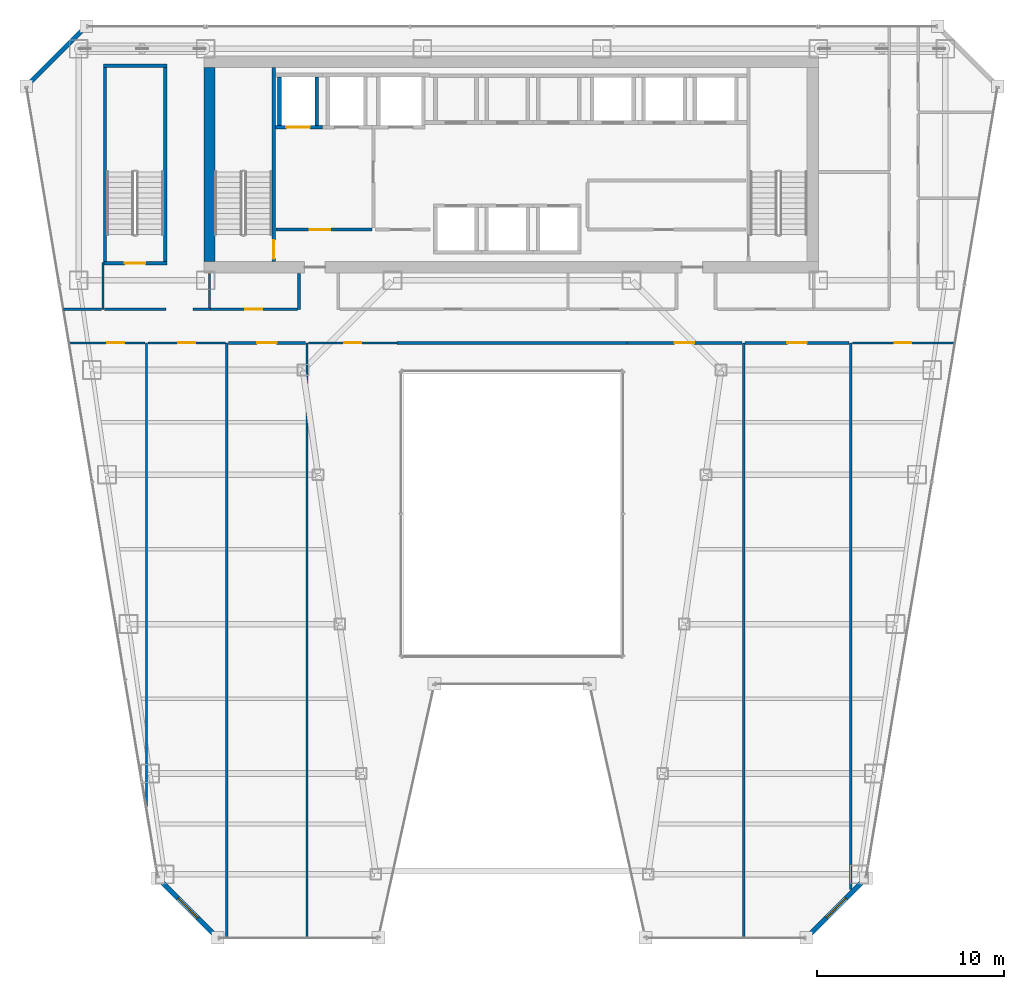
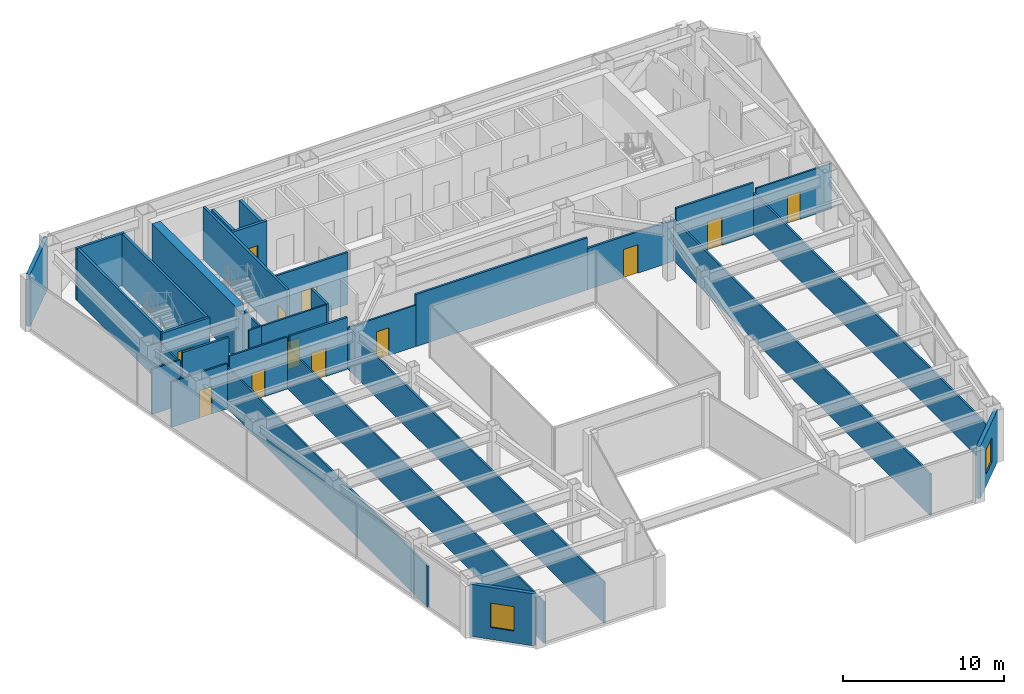
# One storey, part 30 of 36: 33 walls, 12 doors, 2 windows, 14 openings.
"""IFC4 building model written with IfcOpenShell, lengths in metres."""

from ifc_helpers import new_model, si_unit, direction, frame, frame_2d, origin, place, context, subcontext, project, spatial, rectangle, extrude, material, layer, layer_set, type_object, element, fill, save


model = new_model("IFC4")

# Units and contexts
model_context = context("Model", 3, precision=1e-05, world=origin(), true_north=direction((0.0, 1.0)))
body_context = subcontext(model_context, "Body", "Model", "MODEL_VIEW")
ifc_project = project(units=[si_unit("LENGTHUNIT", "METRE"), si_unit("AREAUNIT", "SQUARE_METRE"), si_unit("VOLUMEUNIT", "CUBIC_METRE"), si_unit("PLANEANGLEUNIT", "RADIAN"), si_unit("MASSUNIT", "GRAM", prefix="KILO")], contexts=[model_context])

# Site, building, storey
site_placement = place(None, origin())
site = spatial("IfcSite", under=ifc_project, at=site_placement, CompositionType="ELEMENT")
building_placement = place(site_placement, origin())
building = spatial("IfcBuilding", under=site, at=building_placement, Name="Saevonmaru Cultural Tower", CompositionType="ELEMENT")
storey_placement = place(building_placement, frame((0.0, 0.0, 119.199951171875)))
storey = spatial("IfcBuildingStorey", under=building, at=storey_placement, Name="L25", CompositionType="ELEMENT", Elevation=119.199951171875)

# Wall
ifc_material_1 = material(Name="Concrete C60/75", Category="concrete")
ifc_layer_1 = layer(ifc_material_1, 0.60009765625, Name="Concrete C60/75")
ifc_layer_set_1 = layer_set([ifc_layer_1], Name="Concrete C60/75")
wall_type_1 = type_object("IfcWallType", Name="WL-CORE-600", PredefinedType="SHEAR", material=ifc_layer_set_1)
wall_1_placement = place(storey_placement, frame((13.800048828125, 43.39990234375, 0.0), z_axis=(0.0, 0.0, 1.0), x_axis=(0.0, 1.0, 0.0)))
element("IfcWall", 1, at=wall_1_placement, inside=storey, type_object=wall_type_1, Name="L25 Tower RC core shear wall W", PredefinedType="SHEAR", context=body_context, shape_type="SweptSolid", body=[
    extrude(rectangle(XDim=10.400146484375, YDim=0.60009765625, at=frame_2d((5.2001953125, 0.0))), origin(), (0.0, 0.0, 1.0), 3.949951171875),
])

# Wall, opening, door
ifc_material_2 = material(Name="Gypsum Fireboard Partition", Category="gypsum")
ifc_layer_2 = layer(ifc_material_2, 0.14990234375, Name="Gypsum Fireboard Partition")
ifc_layer_set_2 = layer_set([ifc_layer_2], Name="Gypsum Fireboard Partition")
wall_type_2 = type_object("IfcWallType", Name="WL-CORE-PART-150", PredefinedType="PARTITIONING", material=ifc_layer_set_2)
wall_2_placement = place(storey_placement, frame((17.360107421875, 45.1201171875, 0.0), z_axis=(0.0, 0.0, 1.0), x_axis=(1.0, 0.0, 0.0)))
wall_2 = element("IfcWall", 2, at=wall_2_placement, inside=storey, type_object=wall_type_2, Name="L25 Firefighting Lift Lobby South Wall", PredefinedType="PARTITIONING", context=body_context, shape_type="SweptSolid", body=[
    extrude(rectangle(XDim=5.139892578125, YDim=0.14990234375, at=frame_2d((2.56982421875, 0.0))), origin(), (0.0, 0.0, 1.0), 3.949951171875),
])
opening_1_placement = place(wall_2_placement, frame((1.800048828125, 0.0, 0.0)))
opening_1 = element("IfcOpeningElement", 3, at=opening_1_placement, cuts=wall_2, Name="Opening FD-2", PredefinedType="OPENING", context=body_context, shape_type="SweptSolid", body=[
    extrude(rectangle(XDim=1.10009765625, YDim=2.14990234375, at=frame_2d((0.550048828125, 1.074951171875))), frame((0.0, 0.0849609375, 0.0), z_axis=(0.0, -1.0, 0.0), x_axis=(1.0, 0.0, 0.0)), (0.0, 0.0, 1.0), 0.169921875),
])
ifc_material_3 = material(Name="Satin Bronze Anodised Aluminium", Category="aluminium")
door_type_1 = type_object("IfcDoorType", Name="DR-FD60-1100", OperationType="SINGLE_SWING_LEFT", PredefinedType="DOOR", material=ifc_material_3)
door_1_placement = place(opening_1_placement, origin())
door_1 = element("IfcDoor", 4, at=door_1_placement, inside=storey, type_object=door_type_1, Name="L25 Firefighting Lift Lobby South Door", OperationType="SINGLE_SWING_LEFT", OverallHeight=2.14990234375, OverallWidth=1.10009765625, PredefinedType="DOOR", context=body_context, shape_type="SweptSolid", body=[
    extrude(rectangle(XDim=1.10009765625, YDim=2.14990234375, at=frame_2d((0.550048828125, 1.074951171875))), frame((0.0, 0.02490234375, 0.0), z_axis=(0.0, -1.0, 0.0), x_axis=(1.0, 0.0, 0.0)), (0.0, 0.0, 1.0), 0.050048828125),
])
fill(opening_1, door_1)

# Wall, opening, window
ifc_material_4 = material(Name="Granite-Clad Precast Concrete C40/50", Category="masonry")
ifc_layer_3 = layer(ifc_material_4, 0.260009765625, Name="Granite-Clad Precast Concrete C40/50")
ifc_layer_set_3 = layer_set([ifc_layer_3], Name="Granite-Clad Precast Concrete C40/50")
wall_type_3 = type_object("IfcWallType", Name="WL-EXT-SPANDREL-260", PredefinedType="STANDARD", material=ifc_layer_set_3)
wall_3_placement = place(storey_placement, frame((11.162109375, 10.286865234375, 0.0), z_axis=(0.0, 0.0, 1.0), x_axis=(0.70707775441, -0.707135806771, 0.0)))
wall_3 = element("IfcWall", 5, at=wall_3_placement, inside=storey, type_object=wall_type_3, Name="L25 Chamfer Corner Spandrel Wall E1", PredefinedType="STANDARD", context=body_context, shape_type="SweptSolid", body=[
    extrude(rectangle(XDim=4.20556640625, YDim=0.260009765625, at=frame_2d((2.102783203125, 0.0))), origin(), (0.0, 0.0, 1.0), 3.949951171875),
])
opening_2_placement = place(wall_3_placement, frame((1.35302734375, 0.0, 0.89990234375)))
opening_2 = element("IfcOpeningElement", 6, at=opening_2_placement, cuts=wall_3, Name="Opening W-2B", PredefinedType="OPENING", context=body_context, shape_type="SweptSolid", body=[
    extrude(rectangle(XDim=1.5, YDim=1.85009765625, at=frame_2d((0.75, 0.925048828125))), frame((0.0, 0.14013671875, 0.0), z_axis=(0.0, -1.0, 0.0), x_axis=(1.0, 0.0, 0.0)), (0.0, 0.0, 1.0), 0.280029296875),
])
window_type = type_object("IfcWindowType", Name="WN-DECO-1500x1850", PartitioningType="SINGLE_PANEL", PredefinedType="WINDOW", material=ifc_material_3)
window_1_placement = place(opening_2_placement, origin())
window_1 = element("IfcWindow", 7, at=window_1_placement, inside=storey, type_object=window_type, Name="L25 Chamfer Corner Bronze Window E1", OverallHeight=1.85009765625, OverallWidth=1.5, PartitioningType="SINGLE_PANEL", PredefinedType="WINDOW", context=body_context, shape_type="SweptSolid", body=[
    extrude(rectangle(XDim=1.5, YDim=1.85009765625, at=frame_2d((0.75, 0.925048828125))), frame((0.0, 0.030029296875, 0.0), z_axis=(0.0, -1.0, 0.0), x_axis=(1.0, 0.0, 0.0)), (0.0, 0.0, 1.0), 0.06005859375),
])
fill(opening_2, window_1)

wall_4_placement = place(storey_placement, frame((45.8642578125, 7.31298828125, 0.0), z_axis=(0.0, 0.0, 1.0), x_axis=(0.70707775441, 0.707135806771, 0.0)))
wall_4 = element("IfcWall", 8, at=wall_4_placement, inside=storey, type_object=wall_type_3, Name="L25 Chamfer Corner Spandrel Wall E7", PredefinedType="STANDARD", context=body_context, shape_type="SweptSolid", body=[
    extrude(rectangle(XDim=4.20556640625, YDim=0.260009765625, at=frame_2d((2.102783203125, 0.0))), origin(), (0.0, 0.0, 1.0), 3.949951171875),
])
opening_3_placement = place(wall_4_placement, frame((1.35302734375, 0.0, 0.89990234375)))
opening_3 = element("IfcOpeningElement", 9, at=opening_3_placement, cuts=wall_4, Name="Opening W-2B", PredefinedType="OPENING", context=body_context, shape_type="SweptSolid", body=[
    extrude(rectangle(XDim=1.5, YDim=1.85009765625, at=frame_2d((0.75, 0.925048828125))), frame((0.0, 0.14013671875, 0.0), z_axis=(0.0, -1.0, 0.0), x_axis=(1.0, 0.0, 0.0)), (0.0, 0.0, 1.0), 0.280029296875),
])
window_2_placement = place(opening_3_placement, origin())
window_2 = element("IfcWindow", 10, at=window_2_placement, inside=storey, type_object=window_type, Name="L25 Chamfer Corner Bronze Window E7", OverallHeight=1.85009765625, OverallWidth=1.5, PartitioningType="SINGLE_PANEL", PredefinedType="WINDOW", context=body_context, shape_type="SweptSolid", body=[
    extrude(rectangle(XDim=1.5, YDim=1.85009765625, at=frame_2d((0.75, 0.925048828125))), frame((0.0, 0.030029296875, 0.0), z_axis=(0.0, -1.0, 0.0), x_axis=(1.0, 0.0, 0.0)), (0.0, 0.0, 1.0), 0.06005859375),
])
fill(opening_3, window_2)

# Walls
wall_5_placement = place(storey_placement, frame((7.0869140625, 55.886962890625, 0.0), z_axis=(0.0, 0.0, 1.0), x_axis=(-0.707106781187, -0.707106781187, 0.0)))
element("IfcWall", 11, at=wall_5_placement, inside=storey, type_object=wall_type_3, Name="L25 Chamfer Corner Spandrel Wall E11", PredefinedType="STANDARD", context=body_context, shape_type="SweptSolid", body=[
    extrude(rectangle(XDim=4.205810546875, YDim=0.260009765625, at=frame_2d((2.10302734375, 0.0))), origin(), (0.0, 0.0, 1.0), 3.949951171875),
])
ifc_layer_4 = layer(ifc_material_2, 0.14990234375, Name="Gypsum Fireboard Partition")
ifc_layer_set_4 = layer_set([ifc_layer_4], Name="Gypsum Fireboard Partition")
wall_type_4 = type_object("IfcWallType", Name="WL-PART-FIRE-150", PredefinedType="PARTITIONING", material=ifc_layer_set_4)
wall_6_placement = place(storey_placement, frame((8.179931640625, 40.85009765625, 0.0), z_axis=(0.0, 0.0, 1.0), x_axis=(1.0, 0.0, 0.0)))
element("IfcWall", 12, at=wall_6_placement, inside=storey, type_object=wall_type_4, Name="L25 Stair ST-3 South Vestibule Wall", PredefinedType="PARTITIONING", context=body_context, shape_type="SweptSolid", body=[
    extrude(rectangle(XDim=3.300048828125, YDim=0.14990234375, at=frame_2d((1.64990234375, 0.0))), origin(), (0.0, 0.0, 1.0), 3.949951171875),
])
wall_7_placement = place(storey_placement, frame((18.60009765625, 40.85009765625, 0.0), z_axis=(0.0, 0.0, 1.0), x_axis=(0.0, 1.0, 0.0)))
element("IfcWall", 13, at=wall_7_placement, inside=storey, type_object=wall_type_4, Name="L25 Core Portal Side Wall W1", PredefinedType="PARTITIONING", context=body_context, shape_type="SweptSolid", body=[
    extrude(rectangle(XDim=1.929931640625, YDim=0.14990234375, at=frame_2d((0.96484375, 0.0))), origin(), (0.0, 0.0, 1.0), 3.949951171875),
])

# Wall, opening, door
wall_8_placement = place(storey_placement, frame((14.81005859375, 39.050048828125, 0.0), z_axis=(0.0, 0.0, 1.0), x_axis=(1.0, 0.0, 0.0)))
wall_8 = element("IfcWall", 14, at=wall_8_placement, inside=storey, type_object=wall_type_4, Name="L25 Sculpture Study Gallery Corridor Wall", PredefinedType="PARTITIONING", context=body_context, shape_type="SweptSolid", body=[
    extrude(rectangle(XDim=4.139892578125, YDim=0.14990234375, at=frame_2d((2.06982421875, 0.0))), origin(), (0.0, 0.0, 1.0), 3.949951171875),
])
opening_4_placement = place(wall_8_placement, frame((1.544921875, 0.0, 0.0)))
opening_4 = element("IfcOpeningElement", 15, at=opening_4_placement, cuts=wall_8, Name="Opening ID-1", PredefinedType="OPENING", context=body_context, shape_type="SweptSolid", body=[
    extrude(rectangle(XDim=1.050048828125, YDim=2.14990234375, at=frame_2d((0.52490234375, 1.074951171875))), frame((0.0, 0.0849609375, 0.0), z_axis=(0.0, -1.0, 0.0), x_axis=(1.0, 0.0, 0.0)), (0.0, 0.0, 1.0), 0.169921875),
])
door_type_2 = type_object("IfcDoorType", Name="DR-INT-1050", OperationType="SINGLE_SWING_LEFT", PredefinedType="DOOR", material=ifc_material_3)
door_2_placement = place(opening_4_placement, origin())
door_2 = element("IfcDoor", 16, at=door_2_placement, inside=storey, type_object=door_type_2, Name="L25 Sculpture Study Gallery Door", OperationType="SINGLE_SWING_LEFT", OverallHeight=2.14990234375, OverallWidth=1.050048828125, PredefinedType="DOOR", context=body_context, shape_type="SweptSolid", body=[
    extrude(rectangle(XDim=1.050048828125, YDim=2.14990234375, at=frame_2d((0.52490234375, 1.074951171875))), frame((0.0, 0.02490234375, 0.0), z_axis=(0.0, -1.0, 0.0), x_axis=(1.0, 0.0, 0.0)), (0.0, 0.0, 1.0), 0.050048828125),
])
fill(opening_4, door_2)

# Wall
wall_9_placement = place(storey_placement, frame((23.85009765625, 39.050048828125, 0.0), z_axis=(0.0, 0.0, 1.0), x_axis=(1.0, 0.0, 0.0)))
element("IfcWall", 17, at=wall_9_placement, inside=storey, type_object=wall_type_4, Name="L25 North Atrium Corridor Wall", PredefinedType="PARTITIONING", context=body_context, shape_type="SweptSolid", body=[
    extrude(rectangle(XDim=12.2998046875, YDim=0.14990234375, at=frame_2d((6.14990234375, 0.0))), origin(), (0.0, 0.0, 1.0), 3.949951171875),
])

# Wall, opening, door
wall_10_placement = place(storey_placement, frame((36.14990234375, 39.050048828125, 0.0), z_axis=(0.0, 0.0, 1.0), x_axis=(1.0, 0.0, 0.0)))
wall_10 = element("IfcWall", 18, at=wall_10_placement, inside=storey, type_object=wall_type_4, Name="L25 Sculpture Study Gallery Corridor Wall", PredefinedType="PARTITIONING", context=body_context, shape_type="SweptSolid", body=[
    extrude(rectangle(XDim=6.16259765625, YDim=0.14990234375, at=frame_2d((3.081298828125, 0.0))), origin(), (0.0, 0.0, 1.0), 3.135009765625),
])
opening_5_placement = place(wall_10_placement, frame((2.555908203125, 0.0, 0.0)))
opening_5 = element("IfcOpeningElement", 19, at=opening_5_placement, cuts=wall_10, Name="Opening ID-1", PredefinedType="OPENING", context=body_context, shape_type="SweptSolid", body=[
    extrude(rectangle(XDim=1.050048828125, YDim=2.14990234375, at=frame_2d((0.52490234375, 1.074951171875))), frame((0.0, 0.0849609375, 0.0), z_axis=(0.0, -1.0, 0.0), x_axis=(1.0, 0.0, 0.0)), (0.0, 0.0, 1.0), 0.169921875),
])
door_3_placement = place(opening_5_placement, origin())
door_3 = element("IfcDoor", 20, at=door_3_placement, inside=storey, type_object=door_type_2, Name="L25 Sculpture Study Gallery Door", OperationType="SINGLE_SWING_LEFT", OverallHeight=2.14990234375, OverallWidth=1.050048828125, PredefinedType="DOOR", context=body_context, shape_type="SweptSolid", body=[
    extrude(rectangle(XDim=1.050048828125, YDim=2.14990234375, at=frame_2d((0.52490234375, 1.074951171875))), frame((0.0, 0.02490234375, 0.0), z_axis=(0.0, -1.0, 0.0), x_axis=(1.0, 0.0, 0.0)), (0.0, 0.0, 1.0), 0.050048828125),
])
fill(opening_5, door_3)

wall_11_placement = place(storey_placement, frame((42.487548828125, 39.050048828125, 0.0), z_axis=(0.0, 0.0, 1.0), x_axis=(1.0, 0.0, 0.0)))
wall_11 = element("IfcWall", 21, at=wall_11_placement, inside=storey, type_object=wall_type_4, Name="L25 Contemporary Photography Gallery Corridor Wall", PredefinedType="PARTITIONING", context=body_context, shape_type="SweptSolid", body=[
    extrude(rectangle(XDim=5.554931640625, YDim=0.14990234375, at=frame_2d((2.77734375, 0.0))), origin(), (0.0, 0.0, 1.0), 3.949951171875),
])
opening_6_placement = place(wall_11_placement, frame((2.251953125, 0.0, 0.0)))
opening_6 = element("IfcOpeningElement", 22, at=opening_6_placement, cuts=wall_11, Name="Opening ID-1", PredefinedType="OPENING", context=body_context, shape_type="SweptSolid", body=[
    extrude(rectangle(XDim=1.050048828125, YDim=2.14990234375, at=frame_2d((0.52490234375, 1.074951171875))), frame((0.0, 0.0849609375, 0.0), z_axis=(0.0, -1.0, 0.0), x_axis=(1.0, 0.0, 0.0)), (0.0, 0.0, 1.0), 0.169921875),
])
door_4_placement = place(opening_6_placement, origin())
door_4 = element("IfcDoor", 23, at=door_4_placement, inside=storey, type_object=door_type_2, Name="L25 Contemporary Photography Gallery Door", OperationType="SINGLE_SWING_RIGHT", OverallHeight=2.14990234375, OverallWidth=1.050048828125, PredefinedType="DOOR", context=body_context, shape_type="SweptSolid", body=[
    extrude(rectangle(XDim=1.050048828125, YDim=2.14990234375, at=frame_2d((0.52490234375, 1.074951171875))), frame((0.0, 0.02490234375, 0.0), z_axis=(0.0, -1.0, 0.0), x_axis=(1.0, 0.0, 0.0)), (0.0, 0.0, 1.0), 0.050048828125),
])
fill(opening_6, door_4)

# Walls
ifc_layer_5 = layer(ifc_material_2, 0.1201171875, Name="Gypsum Fireboard Partition")
ifc_layer_set_5 = layer_set([ifc_layer_5], Name="Gypsum Fireboard Partition")
wall_type_5 = type_object("IfcWallType", Name="WL-PART-GYP-120", PredefinedType="PARTITIONING", material=ifc_layer_set_5)
wall_12_placement = place(storey_placement, frame((12.919921875, 40.85009765625, 0.0), z_axis=(0.0, 0.0, 1.0), x_axis=(1.0, 0.0, 0.0)))
element("IfcWall", 24, at=wall_12_placement, inside=storey, type_object=wall_type_5, Name="L25 NW Inner South Wall", PredefinedType="PARTITIONING", context=body_context, shape_type="SweptSolid", body=[
    extrude(rectangle(XDim=0.93017578125, YDim=0.1201171875, at=frame_2d((0.465087890625, 0.0))), origin(), (0.0, 0.0, 1.0), 3.949951171875),
])
wall_13_placement = place(storey_placement, frame((13.800048828125, 40.929931640625, 0.0), z_axis=(0.0, 0.0, 1.0), x_axis=(0.0, 1.0, 0.0)))
element("IfcWall", 25, at=wall_13_placement, inside=storey, type_object=wall_type_5, Name="L25 NW Inner Core Return", PredefinedType="PARTITIONING", context=body_context, shape_type="SweptSolid", body=[
    extrude(rectangle(XDim=1.85009765625, YDim=0.1201171875, at=frame_2d((0.925048828125, 0.0))), origin(), (0.0, 0.0, 1.0), 3.949951171875),
])
wall_14_placement = place(storey_placement, frame((8.10009765625, 40.85009765625, 0.0), z_axis=(0.0, 0.0, 1.0), x_axis=(0.0, 1.0, 0.0)))
element("IfcWall", 26, at=wall_14_placement, inside=storey, type_object=wall_type_5, Name="L25 NW Stair Return", PredefinedType="PARTITIONING", context=body_context, shape_type="SweptSolid", body=[
    extrude(rectangle(XDim=2.5, YDim=0.1201171875, at=frame_2d((1.25, 0.0))), origin(), (0.0, 0.0, 1.0), 3.135009765625),
])
wall_15_placement = place(storey_placement, frame((5.99169921875, 40.85009765625, 0.0), z_axis=(0.0, 0.0, 1.0), x_axis=(1.0, 0.0, 0.0)))
element("IfcWall", 27, at=wall_15_placement, inside=storey, type_object=wall_type_5, Name="L25 Digital Humanities Office Corridor Wall", PredefinedType="PARTITIONING", context=body_context, shape_type="SweptSolid", body=[
    extrude(rectangle(XDim=2.0283203125, YDim=0.1201171875, at=frame_2d((1.01416015625, 0.0))), origin(), (0.0, 0.0, 1.0), 3.43505859375),
])

# Wall, opening, door
wall_16_placement = place(storey_placement, frame((13.85009765625, 40.85009765625, 0.0), z_axis=(0.0, 0.0, 1.0), x_axis=(1.0, 0.0, 0.0)))
wall_16 = element("IfcWall", 28, at=wall_16_placement, inside=storey, type_object=wall_type_5, Name="L25 Visiting Fellows Office Corridor Wall", PredefinedType="PARTITIONING", context=body_context, shape_type="SweptSolid", body=[
    extrude(rectangle(XDim=4.65478515625, YDim=0.1201171875, at=frame_2d((2.327392578125, 0.0))), origin(), (0.0, 0.0, 1.0), 3.949951171875),
])
opening_7_placement = place(wall_16_placement, frame((1.876953125, 0.0, 0.0)))
opening_7 = element("IfcOpeningElement", 29, at=opening_7_placement, cuts=wall_16, Name="Opening ID-2", PredefinedType="OPENING", context=body_context, shape_type="SweptSolid", body=[
    extrude(rectangle(XDim=0.89990234375, YDim=2.10009765625, at=frame_2d((0.449951171875, 1.050048828125))), frame((0.0, 0.070068359375, 0.0), z_axis=(0.0, -1.0, 0.0), x_axis=(1.0, 0.0, 0.0)), (0.0, 0.0, 1.0), 0.14013671875),
])
ifc_material_5 = material(Name="Acoustic Stained Oak Timber", Category="wood")
door_type_3 = type_object("IfcDoorType", Name="DR-INT-900", OperationType="SINGLE_SWING_RIGHT", PredefinedType="DOOR", material=ifc_material_5)
door_5_placement = place(opening_7_placement, origin())
door_5 = element("IfcDoor", 30, at=door_5_placement, inside=storey, type_object=door_type_3, Name="L25 Visiting Fellows Office Door", OperationType="SINGLE_SWING_LEFT", OverallHeight=2.10009765625, OverallWidth=0.89990234375, PredefinedType="DOOR", context=body_context, shape_type="SweptSolid", body=[
    extrude(rectangle(XDim=0.89990234375, YDim=2.10009765625, at=frame_2d((0.449951171875, 1.050048828125))), frame((0.0, 0.02490234375, 0.0), z_axis=(0.0, -1.0, 0.0), x_axis=(1.0, 0.0, 0.0)), (0.0, 0.0, 1.0), 0.050048828125),
])
fill(opening_7, door_5)

# Walls
wall_17_placement = place(storey_placement, frame((10.429931640625, 14.1533203125, 0.0), z_axis=(0.0, 0.0, 1.0), x_axis=(0.0, 1.0, 0.0)))
element("IfcWall", 31, at=wall_17_placement, inside=storey, type_object=wall_type_5, Name="L25 West Bay Divider 1", PredefinedType="PARTITIONING", context=body_context, shape_type="SweptSolid", body=[
    extrude(rectangle(XDim=24.896728515625, YDim=0.1201171875, at=frame_2d((12.4482421875, 0.0))), origin(), (0.0, 0.0, 1.0), 3.135009765625),
])
for number, where, z_axis, x_axis, name in (
    (32, (14.72998046875, 7.205078125, 0.0), (0.0, 0.0, 1.0), (0.0, 1.0, 0.0), "L25 West Bay Divider 2"),
    (33, (19.030029296875, 7.205078125, 0.0), (0.0, 0.0, 1.0), (0.0, 1.0, 0.0), "L25 West Bay Divider 3"),
):
    element("IfcWall", number, at=place(storey_placement, frame(where, z_axis=z_axis, x_axis=x_axis)), inside=storey, type_object=wall_type_5, Name=name, PredefinedType="PARTITIONING", context=body_context, shape_type="SweptSolid", body=[
        extrude(rectangle(XDim=31.844970703125, YDim=0.1201171875, at=frame_2d((15.92236328125, 0.0))), origin(), (0.0, 0.0, 1.0), 3.135009765625),
    ])

# Wall, opening, door
wall_18_placement = place(storey_placement, frame((6.348388671875, 39.050048828125, 0.0), z_axis=(0.0, 0.0, 1.0), x_axis=(1.0, 0.0, 0.0)))
wall_18 = element("IfcWall", 34, at=wall_18_placement, inside=storey, type_object=wall_type_5, Name="L25 Visiting Fellows Office Corridor Wall", PredefinedType="PARTITIONING", context=body_context, shape_type="SweptSolid", body=[
    extrude(rectangle(XDim=4.001708984375, YDim=0.1201171875, at=frame_2d((2.0009765625, 0.0))), origin(), (0.0, 0.0, 1.0), 3.43505859375),
])
opening_8_placement = place(wall_18_placement, frame((1.990966796875, 0.0, 0.0)))
opening_8 = element("IfcOpeningElement", 35, at=opening_8_placement, cuts=wall_18, Name="Opening ID-2", PredefinedType="OPENING", context=body_context, shape_type="SweptSolid", body=[
    extrude(rectangle(XDim=0.89990234375, YDim=2.10009765625, at=frame_2d((0.449951171875, 1.050048828125))), frame((0.0, 0.070068359375, 0.0), z_axis=(0.0, -1.0, 0.0), x_axis=(1.0, 0.0, 0.0)), (0.0, 0.0, 1.0), 0.14013671875),
])
door_6_placement = place(opening_8_placement, origin())
door_6 = element("IfcDoor", 36, at=door_6_placement, inside=storey, type_object=door_type_3, Name="L25 Visiting Fellows Office Door", OperationType="SINGLE_SWING_LEFT", OverallHeight=2.10009765625, OverallWidth=0.89990234375, PredefinedType="DOOR", context=body_context, shape_type="SweptSolid", body=[
    extrude(rectangle(XDim=0.89990234375, YDim=2.10009765625, at=frame_2d((0.449951171875, 1.050048828125))), frame((0.0, 0.02490234375, 0.0), z_axis=(0.0, -1.0, 0.0), x_axis=(1.0, 0.0, 0.0)), (0.0, 0.0, 1.0), 0.050048828125),
])
fill(opening_8, door_6)

wall_19_placement = place(storey_placement, frame((10.510009765625, 39.050048828125, 0.0), z_axis=(0.0, 0.0, 1.0), x_axis=(1.0, 0.0, 0.0)))
wall_19 = element("IfcWall", 37, at=wall_19_placement, inside=storey, type_object=wall_type_5, Name="L25 Digital Humanities Office Corridor Wall", PredefinedType="PARTITIONING", context=body_context, shape_type="SweptSolid", body=[
    extrude(rectangle(XDim=4.139892578125, YDim=0.1201171875, at=frame_2d((2.06982421875, 0.0))), origin(), (0.0, 0.0, 1.0), 3.949951171875),
])
opening_9_placement = place(wall_19_placement, frame((1.6201171875, 0.0, 0.0)))
opening_9 = element("IfcOpeningElement", 38, at=opening_9_placement, cuts=wall_19, Name="Opening ID-2", PredefinedType="OPENING", context=body_context, shape_type="SweptSolid", body=[
    extrude(rectangle(XDim=0.89990234375, YDim=2.10009765625, at=frame_2d((0.449951171875, 1.050048828125))), frame((0.0, 0.070068359375, 0.0), z_axis=(0.0, -1.0, 0.0), x_axis=(1.0, 0.0, 0.0)), (0.0, 0.0, 1.0), 0.14013671875),
])
door_7_placement = place(opening_9_placement, origin())
door_7 = element("IfcDoor", 39, at=door_7_placement, inside=storey, type_object=door_type_3, Name="L25 Digital Humanities Office Door", OperationType="SINGLE_SWING_RIGHT", OverallHeight=2.10009765625, OverallWidth=0.89990234375, PredefinedType="DOOR", context=body_context, shape_type="SweptSolid", body=[
    extrude(rectangle(XDim=0.89990234375, YDim=2.10009765625, at=frame_2d((0.449951171875, 1.050048828125))), frame((0.0, 0.02490234375, 0.0), z_axis=(0.0, -1.0, 0.0), x_axis=(1.0, 0.0, 0.0)), (0.0, 0.0, 1.0), 0.050048828125),
])
fill(opening_9, door_7)

wall_20_placement = place(storey_placement, frame((19.110107421875, 39.050048828125, 0.0), z_axis=(0.0, 0.0, 1.0), x_axis=(1.0, 0.0, 0.0)))
wall_20 = element("IfcWall", 40, at=wall_20_placement, inside=storey, type_object=wall_type_5, Name="L25 Visiting Fellows Office Corridor Wall", PredefinedType="PARTITIONING", context=body_context, shape_type="SweptSolid", body=[
    extrude(rectangle(XDim=4.739990234375, YDim=0.1201171875, at=frame_2d((2.3701171875, 0.0))), origin(), (0.0, 0.0, 1.0), 3.135009765625),
])
opening_10_placement = place(wall_20_placement, frame((1.919921875, 0.0, 0.0)))
opening_10 = element("IfcOpeningElement", 41, at=opening_10_placement, cuts=wall_20, Name="Opening ID-2", PredefinedType="OPENING", context=body_context, shape_type="SweptSolid", body=[
    extrude(rectangle(XDim=0.89990234375, YDim=2.10009765625, at=frame_2d((0.449951171875, 1.050048828125))), frame((0.0, 0.070068359375, 0.0), z_axis=(0.0, -1.0, 0.0), x_axis=(1.0, 0.0, 0.0)), (0.0, 0.0, 1.0), 0.14013671875),
])
door_8_placement = place(opening_10_placement, origin())
door_8 = element("IfcDoor", 42, at=door_8_placement, inside=storey, type_object=door_type_3, Name="L25 Visiting Fellows Office Door", OperationType="SINGLE_SWING_RIGHT", OverallHeight=2.10009765625, OverallWidth=0.89990234375, PredefinedType="DOOR", context=body_context, shape_type="SweptSolid", body=[
    extrude(rectangle(XDim=0.89990234375, YDim=2.10009765625, at=frame_2d((0.449951171875, 1.050048828125))), frame((0.0, 0.02490234375, 0.0), z_axis=(0.0, -1.0, 0.0), x_axis=(1.0, 0.0, 0.0)), (0.0, 0.0, 1.0), 0.050048828125),
])
fill(opening_10, door_8)

wall_21_placement = place(storey_placement, frame((48.217529296875, 39.050048828125, 0.0), z_axis=(0.0, 0.0, 1.0), x_axis=(1.0, 0.0, 0.0)))
wall_21 = element("IfcWall", 43, at=wall_21_placement, inside=storey, type_object=wall_type_5, Name="L25 Digital Media Classroom Corridor Wall", PredefinedType="PARTITIONING", context=body_context, shape_type="SweptSolid", body=[
    extrude(rectangle(XDim=5.43408203125, YDim=0.1201171875, at=frame_2d((2.717041015625, 0.0))), origin(), (0.0, 0.0, 1.0), 3.43505859375),
])
opening_11_placement = place(wall_21_placement, frame((2.26708984375, 0.0, 0.0)))
opening_11 = element("IfcOpeningElement", 44, at=opening_11_placement, cuts=wall_21, Name="Opening ID-2", PredefinedType="OPENING", context=body_context, shape_type="SweptSolid", body=[
    extrude(rectangle(XDim=0.89990234375, YDim=2.10009765625, at=frame_2d((0.449951171875, 1.050048828125))), frame((0.0, 0.070068359375, 0.0), z_axis=(0.0, -1.0, 0.0), x_axis=(1.0, 0.0, 0.0)), (0.0, 0.0, 1.0), 0.14013671875),
])
door_9_placement = place(opening_11_placement, origin())
door_9 = element("IfcDoor", 45, at=door_9_placement, inside=storey, type_object=door_type_3, Name="L25 Digital Media Classroom Door", OperationType="SINGLE_SWING_LEFT", OverallHeight=2.10009765625, OverallWidth=0.89990234375, PredefinedType="DOOR", context=body_context, shape_type="SweptSolid", body=[
    extrude(rectangle(XDim=0.89990234375, YDim=2.10009765625, at=frame_2d((0.449951171875, 1.050048828125))), frame((0.0, 0.02490234375, 0.0), z_axis=(0.0, -1.0, 0.0), x_axis=(1.0, 0.0, 0.0)), (0.0, 0.0, 1.0), 0.050048828125),
])
fill(opening_11, door_9)

# Walls
ifc_layer_6 = layer(ifc_material_2, 0.135009765625, Name="Gypsum Fireboard Partition")
ifc_layer_set_6 = layer_set([ifc_layer_6], Name="Gypsum Fireboard Partition")
wall_type_6 = type_object("IfcWallType", Name="WL-PART-GYP-135", PredefinedType="PARTITIONING", material=ifc_layer_set_6)
wall_22_placement = place(storey_placement, frame((42.39990234375, 7.205078125, 0.0), z_axis=(0.0, 0.0, 1.0), x_axis=(0.0, 1.0, 0.0)))
element("IfcWall", 46, at=wall_22_placement, inside=storey, type_object=wall_type_6, Name="L25 East Bay Divider 1", PredefinedType="PARTITIONING", context=body_context, shape_type="SweptSolid", body=[
    extrude(rectangle(XDim=31.844970703125, YDim=0.135009765625, at=frame_2d((15.92236328125, 0.0))), origin(), (0.0, 0.0, 1.0), 3.135009765625),
])
wall_23_placement = place(storey_placement, frame((48.1298828125, 9.791015625, 0.0), z_axis=(0.0, 0.0, 1.0), x_axis=(0.0, 1.0, 0.0)))
element("IfcWall", 47, at=wall_23_placement, inside=storey, type_object=wall_type_6, Name="L25 East Bay Divider 2", PredefinedType="PARTITIONING", context=body_context, shape_type="SweptSolid", body=[
    extrude(rectangle(XDim=29.259033203125, YDim=0.135009765625, at=frame_2d((14.62939453125, 0.0))), origin(), (0.0, 0.0, 1.0), 3.135009765625),
])

# Wall, opening, door
ifc_material_6 = material(Name="Concrete C40/50", Category="concrete")
ifc_layer_7 = layer(ifc_material_6, 0.199951171875, Name="Concrete C40/50")
ifc_layer_set_7 = layer_set([ifc_layer_7], Name="Concrete C40/50")
wall_type_7 = type_object("IfcWallType", Name="WL-SHAFT-200", PredefinedType="SHEAR", material=ifc_layer_set_7)
wall_24_placement = place(storey_placement, frame((17.330078125, 50.60009765625, 0.0), z_axis=(0.0, 0.0, 1.0), x_axis=(1.0, 0.0, 0.0)))
wall_24 = element("IfcWall", 48, at=wall_24_placement, inside=storey, type_object=wall_type_7, Name="L25 Lift FFL-1 Hoistway Wall S", PredefinedType="SHEAR", context=body_context, shape_type="SweptSolid", body=[
    extrude(rectangle(XDim=2.52001953125, YDim=0.199951171875, at=frame_2d((1.260009765625, 0.0))), origin(), (0.0, 0.0, 1.0), 3.949951171875),
])
opening_12_placement = place(wall_24_placement, frame((0.594970703125, 0.0, 0.0)))
opening_12 = element("IfcOpeningElement", 49, at=opening_12_placement, cuts=wall_24, Name="Opening LD-2", PredefinedType="OPENING", context=body_context, shape_type="SweptSolid", body=[
    extrude(rectangle(XDim=1.25, YDim=2.300048828125, at=frame_2d((0.625, 1.14990234375))), frame((0.0, 0.10986328125, 0.0), z_axis=(0.0, -1.0, 0.0), x_axis=(1.0, 0.0, 0.0)), (0.0, 0.0, 1.0), 0.219970703125),
])
ifc_material_7 = material(Name="Stainless Steel 316", Category="steel")
door_type_4 = type_object("IfcDoorType", Name="DR-LIFT-1250", OperationType="SLIDING_TO_LEFT", PredefinedType="DOOR", material=ifc_material_7)
door_10_placement = place(opening_12_placement, origin())
door_10 = element("IfcDoor", 50, at=door_10_placement, inside=storey, type_object=door_type_4, Name="L25 Lift FFL-1 Sliding Landing Door", OperationType="SLIDING_TO_LEFT", OverallHeight=2.300048828125, OverallWidth=1.25, PredefinedType="DOOR", context=body_context, shape_type="SweptSolid", body=[
    extrude(rectangle(XDim=1.25, YDim=2.300048828125, at=frame_2d((0.625, 1.14990234375))), frame((0.0, 0.02490234375, 0.0), z_axis=(0.0, -1.0, 0.0), x_axis=(1.0, 0.0, 0.0)), (0.0, 0.0, 1.0), 0.050048828125),
])
fill(opening_12, door_10)

# Walls
for number, where, z_axis, x_axis, name in (
    (51, (17.550048828125, 50.699951171875, 0.0), (0.0, 0.0, 1.0), (0.0, 1.0, 0.0), "L25 Lift FFL-1 Hoistway Wall W"),
    (52, (19.550048828125, 50.699951171875, 0.0), (0.0, 0.0, 1.0), (0.0, 1.0, 0.0), "L25 Lift FFL-1 Hoistway Wall E"),
):
    element("IfcWall", number, at=place(storey_placement, frame(where, z_axis=z_axis, x_axis=x_axis)), inside=storey, type_object=wall_type_7, Name=name, PredefinedType="SHEAR", context=body_context, shape_type="SweptSolid", body=[
        extrude(rectangle(XDim=2.60009765625, YDim=0.199951171875, at=frame_2d((1.300048828125, 0.0))), origin(), (0.0, 0.0, 1.0), 3.949951171875),
    ])

# Wall, opening, door
ifc_layer_8 = layer(ifc_material_6, 0.179931640625, Name="Concrete C40/50")
ifc_layer_set_8 = layer_set([ifc_layer_8], Name="Concrete C40/50")
wall_type_8 = type_object("IfcWallType", Name="WL-STSHAFT-180", PredefinedType="SHEAR", material=ifc_layer_set_8)
wall_25_placement = place(storey_placement, frame((17.239990234375, 43.39990234375, 0.0), z_axis=(0.0, 0.0, 1.0), x_axis=(0.0, 1.0, 0.0)))
wall_25 = element("IfcWall", 53, at=wall_25_placement, inside=storey, type_object=wall_type_8, Name="L25 Stair ST-1 Structural Shaft Wall 1", PredefinedType="SHEAR", context=body_context, shape_type="SweptSolid", body=[
    extrude(rectangle(XDim=10.400146484375, YDim=0.179931640625, at=frame_2d((5.2001953125, 0.0))), origin(), (0.0, 0.0, 1.0), 3.949951171875),
])
opening_13_placement = place(wall_25_placement, frame((0.159912109375, 0.0, 0.0)))
opening_13 = element("IfcOpeningElement", 54, at=opening_13_placement, cuts=wall_25, Name="Opening FD-3", PredefinedType="OPENING", context=body_context, shape_type="SweptSolid", body=[
    extrude(rectangle(XDim=1.0, YDim=2.14990234375, at=frame_2d((0.5, 1.074951171875))), frame((0.0, 0.10009765625, 0.0), z_axis=(0.0, -1.0, 0.0), x_axis=(1.0, 0.0, 0.0)), (0.0, 0.0, 1.0), 0.199951171875),
])
door_type_5 = type_object("IfcDoorType", Name="DR-FD60-1000", OperationType="SINGLE_SWING_RIGHT", PredefinedType="DOOR", material=ifc_material_3)
door_11_placement = place(opening_13_placement, origin())
door_11 = element("IfcDoor", 55, at=door_11_placement, inside=storey, type_object=door_type_5, Name="L25 Protected Stair ST-1 Fire Door", OperationType="SINGLE_SWING_RIGHT", OverallHeight=2.14990234375, OverallWidth=1.0, PredefinedType="DOOR", context=body_context, shape_type="SweptSolid", body=[
    extrude(rectangle(XDim=1.0, YDim=2.14990234375, at=frame_2d((0.5, 1.074951171875))), frame((0.0, 0.02490234375, 0.0), z_axis=(0.0, -1.0, 0.0), x_axis=(1.0, 0.0, 0.0)), (0.0, 0.0, 1.0), 0.050048828125),
])
fill(opening_13, door_11)

wall_26_placement = place(storey_placement, frame((8.1201171875, 43.31005859375, 0.0), z_axis=(0.0, 0.0, 1.0), x_axis=(1.0, 0.0, 0.0)))
wall_26 = element("IfcWall", 56, at=wall_26_placement, inside=storey, type_object=wall_type_8, Name="L25 Stair ST-3 Structural Shaft Wall 1", PredefinedType="SHEAR", context=body_context, shape_type="SweptSolid", body=[
    extrude(rectangle(XDim=3.409912109375, YDim=0.179931640625, at=frame_2d((1.705078125, 0.0))), origin(), (0.0, 0.0, 1.0), 3.949951171875),
])
opening_14_placement = place(wall_26_placement, frame((1.14990234375, 0.0, 0.0)))
opening_14 = element("IfcOpeningElement", 57, at=opening_14_placement, cuts=wall_26, Name="Opening FD-2", PredefinedType="OPENING", context=body_context, shape_type="SweptSolid", body=[
    extrude(rectangle(XDim=1.10009765625, YDim=2.14990234375, at=frame_2d((0.550048828125, 1.074951171875))), frame((0.0, 0.10009765625, 0.0), z_axis=(0.0, -1.0, 0.0), x_axis=(1.0, 0.0, 0.0)), (0.0, 0.0, 1.0), 0.199951171875),
])
door_12_placement = place(opening_14_placement, origin())
door_12 = element("IfcDoor", 58, at=door_12_placement, inside=storey, type_object=door_type_1, Name="L25 Protected Stair ST-3 Fire Door", OperationType="SINGLE_SWING_LEFT", OverallHeight=2.14990234375, OverallWidth=1.10009765625, PredefinedType="DOOR", context=body_context, shape_type="SweptSolid", body=[
    extrude(rectangle(XDim=1.10009765625, YDim=2.14990234375, at=frame_2d((0.550048828125, 1.074951171875))), frame((0.0, 0.02490234375, 0.0), z_axis=(0.0, -1.0, 0.0), x_axis=(1.0, 0.0, 0.0)), (0.0, 0.0, 1.0), 0.050048828125),
])
fill(opening_14, door_12)

# Walls
wall_27_placement = place(storey_placement, frame((11.43994140625, 43.39990234375, 0.0), z_axis=(0.0, 0.0, 1.0), x_axis=(0.0, 1.0, 0.0)))
element("IfcWall", 59, at=wall_27_placement, inside=storey, type_object=wall_type_8, Name="L25 Stair ST-3 Structural Shaft Wall 2", PredefinedType="SHEAR", context=body_context, shape_type="SweptSolid", body=[
    extrude(rectangle(XDim=10.400146484375, YDim=0.179931640625, at=frame_2d((5.2001953125, 0.0))), origin(), (0.0, 0.0, 1.0), 3.949951171875),
])
wall_28_placement = place(storey_placement, frame((11.530029296875, 53.889892578125, 0.0), z_axis=(0.0, 0.0, 1.0), x_axis=(-1.0, 0.0, 0.0)))
element("IfcWall", 60, at=wall_28_placement, inside=storey, type_object=wall_type_8, Name="L25 Stair ST-3 Structural Shaft Wall 3", PredefinedType="SHEAR", context=body_context, shape_type="SweptSolid", body=[
    extrude(rectangle(XDim=3.409912109375, YDim=0.179931640625, at=frame_2d((1.705078125, 0.0))), origin(), (0.0, 0.0, 1.0), 3.949951171875),
])
wall_29_placement = place(storey_placement, frame((8.2099609375, 53.800048828125, 0.0), z_axis=(0.0, 0.0, 1.0), x_axis=(0.0, -1.0, 0.0)))
element("IfcWall", 61, at=wall_29_placement, inside=storey, type_object=wall_type_8, Name="L25 Stair ST-3 Structural Shaft Wall 4", PredefinedType="SHEAR", context=body_context, shape_type="SweptSolid", body=[
    extrude(rectangle(XDim=10.400146484375, YDim=0.179931640625, at=frame_2d((5.2001953125, 0.0))), origin(), (0.0, 0.0, 1.0), 3.949951171875),
])

save(model, "model.ifc")
